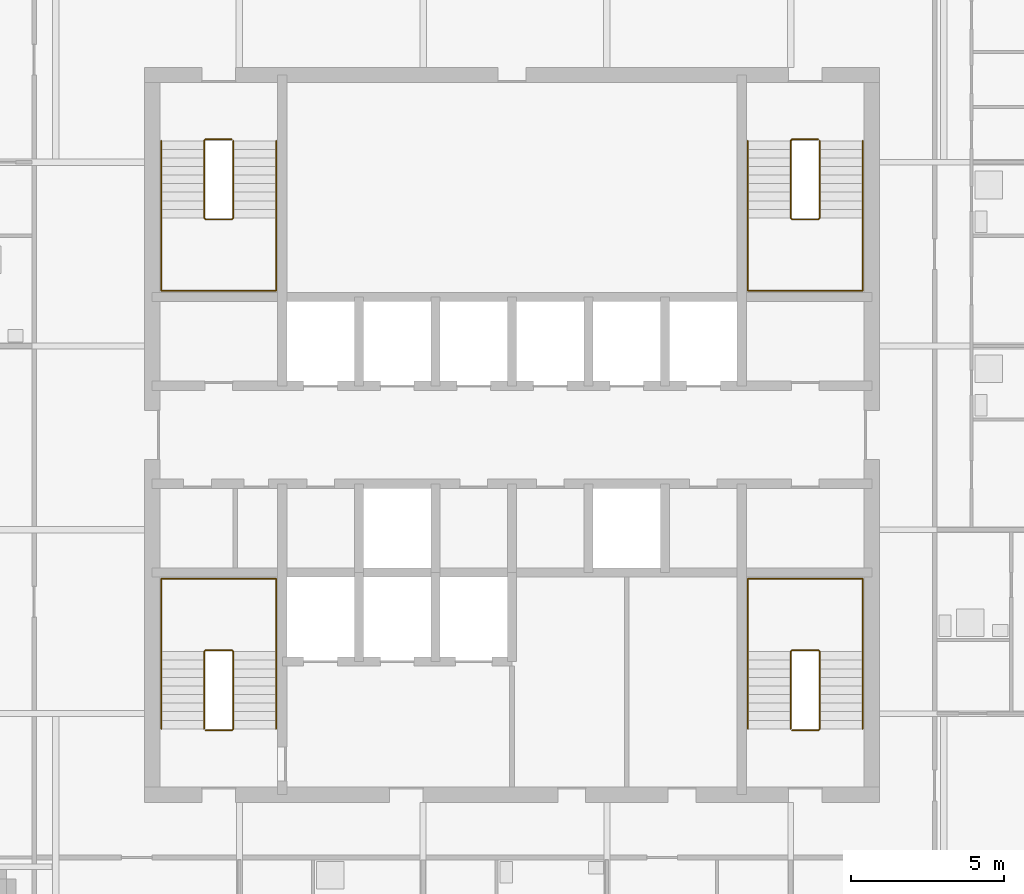
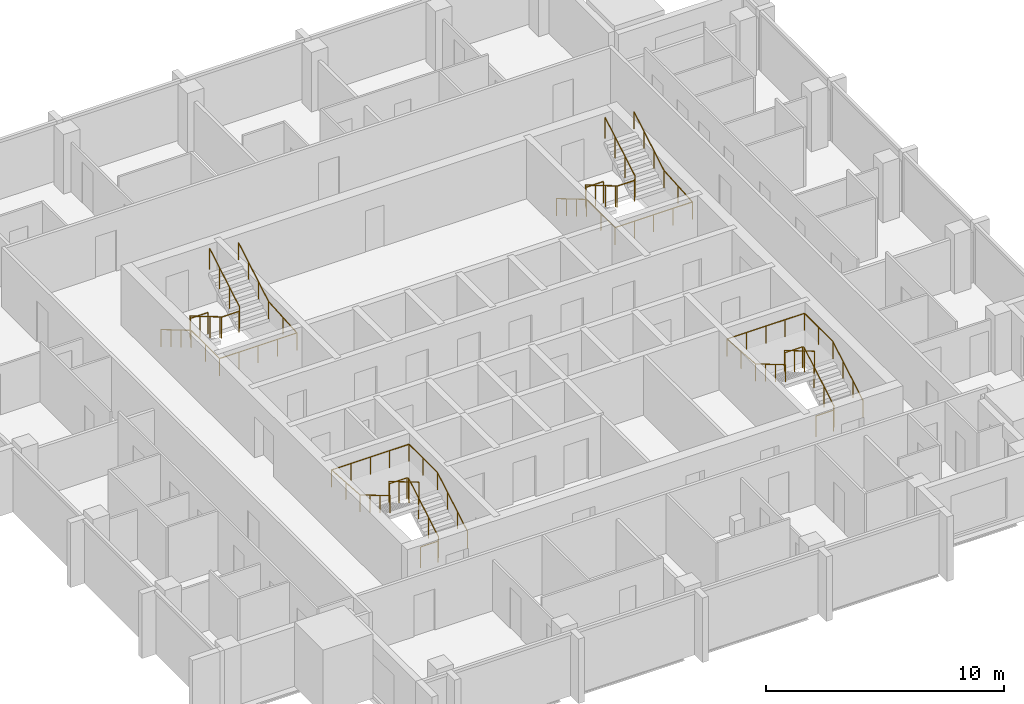
# One storey, part 8 of 9: 8 railings.
"""IFC4 building model written with IfcOpenShell, lengths in metres."""

from ifc_helpers import new_model, si_unit, direction, frame, origin, origin_2d, place, context, subcontext, project, spatial, circle, extrude, material, type_object, element, save


model = new_model("IFC4")

# Units and contexts
model_context = context("Model", 3, precision=1e-05, world=origin(), true_north=direction((0.0, 1.0)))
body_context = subcontext(model_context, "Body", "Model", "MODEL_VIEW")
ifc_project = project(units=[si_unit("LENGTHUNIT", "METRE"), si_unit("AREAUNIT", "SQUARE_METRE"), si_unit("VOLUMEUNIT", "CUBIC_METRE"), si_unit("PLANEANGLEUNIT", "RADIAN"), si_unit("MASSUNIT", "GRAM", prefix="KILO")], contexts=[model_context])

# Site, building, storey
site_placement = place(None, origin())
site = spatial("IfcSite", under=ifc_project, at=site_placement, CompositionType="ELEMENT")
building_placement = place(site_placement, origin())
building = spatial("IfcBuilding", under=site, at=building_placement, Name="Amberfall Residences", CompositionType="ELEMENT")
storey_placement = place(building_placement, frame((0.0, 0.0, 262.0)))
storey = spatial("IfcBuildingStorey", under=building, at=storey_placement, Name="L70", CompositionType="ELEMENT", Elevation=262.0)

# Railings
ifc_material = material(Name="Stainless steel 316", Category="steel")
railing_type_1 = type_object("IfcRailingType", Name="Stair guard 1100", PredefinedType="GUARDRAIL", material=ifc_material)
railing_1_placement = place(storey_placement, frame((64.5, 35.85009765625, 0.0)))
element("IfcRailing", 1, at=railing_1_placement, inside=storey, type_object=railing_type_1, Name="L70 stair 1 guard", PredefinedType="GUARDRAIL", context=body_context, shape_type="SweptSolid", body=[
    extrude(circle(Radius=0.02392578125, at=origin_2d()), frame((0.0, 0.0, 1.076171875), z_axis=(1.0, 0.0, 0.0), x_axis=(0.0, 1.0, 0.0)), (0.0, 0.0, 1.0), 0.85009765625),
    extrude(circle(Radius=0.02392578125, at=origin_2d()), frame((0.85009765625, 0.0, 1.076171875), z_axis=(0.27755538755, 0.27755538755, 0.919742362667), x_axis=(-0.707106781187, 0.707106781187, 0.0)), (0.0, 0.0, 1.0), 0.179443359375),
    extrude(circle(Radius=0.02392578125, at=origin_2d()), frame((0.89990234375, 0.0498046875, 1.2412109375), z_axis=(0.0, 0.861560626758, 0.507654692109), x_axis=(-1.0, 0.0, 0.0)), (0.0, 0.0, 1.0), 2.925048828125),
    extrude(circle(Radius=0.02392578125, at=origin_2d()), frame((0.89990234375, 2.56982421875, 2.72607421875), z_axis=(-0.705375805398, 0.708833529934, 0.0), x_axis=(-0.708833529934, -0.705375805398, 0.0)), (0.0, 0.0, 1.0), 0.070556640625),
    extrude(circle(Radius=0.02392578125, at=origin_2d()), frame((0.85009765625, 2.619873046875, 2.72607421875), z_axis=(-1.0, 0.0, 0.0), x_axis=(0.0, -1.0, 0.0)), (0.0, 0.0, 1.0), 0.85009765625),
    extrude(circle(Radius=0.02392578125, at=origin_2d()), frame((0.0, 2.619873046875, 2.72607421875), z_axis=(-0.278705021027, -0.278705021027, 0.919046801044), x_axis=(0.707106781187, -0.707106781187, 0.0)), (0.0, 0.0, 1.0), 0.1796875),
    extrude(circle(Radius=0.02392578125, at=origin_2d()), frame((-0.050048828125, 2.56982421875, 2.89111328125), z_axis=(0.0, -0.86152411907, 0.507716645641), x_axis=(1.0, 0.0, 0.0)), (0.0, 0.0, 1.0), 2.925048828125),
    extrude(circle(Radius=0.02099609375, at=origin_2d()), origin(), (0.0, 0.0, 1.0), 1.052001953125),
    extrude(circle(Radius=0.02099609375, at=origin_2d()), frame((0.85009765625, 0.0, 0.0)), (0.0, 0.0, 1.0), 1.052001953125),
    extrude(circle(Radius=0.02099609375, at=origin_2d()), frame((0.89990234375, 0.0498046875, 0.1650390625)), (0.0, 0.0, 1.0), 1.052001953125),
    extrude(circle(Radius=0.02099609375, at=origin_2d()), frame((0.89990234375, 0.889892578125, 0.659912109375)), (0.0, 0.0, 1.0), 1.052001953125),
    extrude(circle(Radius=0.02099609375, at=origin_2d()), frame((0.89990234375, 1.729736328125, 1.155029296875)), (0.0, 0.0, 1.0), 1.052001953125),
    extrude(circle(Radius=0.02099609375, at=origin_2d()), frame((0.89990234375, 2.56982421875, 1.64990234375)), (0.0, 0.0, 1.0), 1.052001953125),
    extrude(circle(Radius=0.02099609375, at=origin_2d()), frame((0.85009765625, 2.619873046875, 1.64990234375)), (0.0, 0.0, 1.0), 1.052001953125),
    extrude(circle(Radius=0.02099609375, at=origin_2d()), frame((0.0, 2.619873046875, 1.64990234375)), (0.0, 0.0, 1.0), 1.052001953125),
    extrude(circle(Radius=0.02099609375, at=origin_2d()), frame((-0.050048828125, 2.56982421875, 1.81494140625)), (0.0, 0.0, 1.0), 1.052001953125),
    extrude(circle(Radius=0.02099609375, at=origin_2d()), frame((-0.050048828125, 1.729736328125, 2.31005859375)), (0.0, 0.0, 1.0), 1.052001953125),
    extrude(circle(Radius=0.02099609375, at=origin_2d()), frame((-0.050048828125, 0.889892578125, 2.804931640625)), (0.0, 0.0, 1.0), 1.052001953125),
    extrude(circle(Radius=0.02099609375, at=origin_2d()), frame((-0.050048828125, 0.0498046875, 3.300048828125)), (0.0, 0.0, 1.0), 1.052001953125),
])
railing_2_placement = place(storey_placement, frame((83.64990234375, 35.85009765625, 0.0)))
element("IfcRailing", 2, at=railing_2_placement, inside=storey, type_object=railing_type_1, Name="L70 stair 2 guard", PredefinedType="GUARDRAIL", context=body_context, shape_type="SweptSolid", body=[
    extrude(circle(Radius=0.02392578125, at=origin_2d()), frame((0.0, 0.0, 1.076171875), z_axis=(1.0, 0.0, 0.0), x_axis=(0.0, 1.0, 0.0)), (0.0, 0.0, 1.0), 0.85009765625),
    extrude(circle(Radius=0.02392578125, at=origin_2d()), frame((0.85009765625, 0.0, 1.076171875), z_axis=(0.278810427259, 0.277450376394, 0.919394384522), x_axis=(-0.705375805398, 0.708833529934, 0.0)), (0.0, 0.0, 1.0), 0.179443359375),
    extrude(circle(Radius=0.02392578125, at=origin_2d()), frame((0.900146484375, 0.0498046875, 1.2412109375), z_axis=(0.0, 0.861560626758, 0.507654692109), x_axis=(-1.0, 0.0, 0.0)), (0.0, 0.0, 1.0), 2.925048828125),
    extrude(circle(Radius=0.02392578125, at=origin_2d()), frame((0.900146484375, 2.56982421875, 2.72607421875), z_axis=(-0.707106781187, 0.707106781187, 0.0), x_axis=(-0.707106781187, -0.707106781187, 0.0)), (0.0, 0.0, 1.0), 0.07080078125),
    extrude(circle(Radius=0.02392578125, at=origin_2d()), frame((0.85009765625, 2.619873046875, 2.72607421875), z_axis=(-1.0, 0.0, 0.0), x_axis=(0.0, -1.0, 0.0)), (0.0, 0.0, 1.0), 0.85009765625),
    extrude(circle(Radius=0.02392578125, at=origin_2d()), frame((0.0, 2.619873046875, 2.72607421875), z_axis=(-0.277450376394, -0.278810427259, 0.919394384522), x_axis=(0.708833529934, -0.705375805398, 0.0)), (0.0, 0.0, 1.0), 0.179443359375),
    extrude(circle(Radius=0.02392578125, at=origin_2d()), frame((-0.0498046875, 2.56982421875, 2.89111328125), z_axis=(0.0, -0.86152411907, 0.507716645641), x_axis=(1.0, 0.0, 0.0)), (0.0, 0.0, 1.0), 2.925048828125),
    extrude(circle(Radius=0.02099609375, at=origin_2d()), origin(), (0.0, 0.0, 1.0), 1.052001953125),
    extrude(circle(Radius=0.02099609375, at=origin_2d()), frame((0.85009765625, 0.0, 0.0)), (0.0, 0.0, 1.0), 1.052001953125),
    extrude(circle(Radius=0.02099609375, at=origin_2d()), frame((0.900146484375, 0.0498046875, 0.1650390625)), (0.0, 0.0, 1.0), 1.052001953125),
    extrude(circle(Radius=0.02099609375, at=origin_2d()), frame((0.900146484375, 0.889892578125, 0.659912109375)), (0.0, 0.0, 1.0), 1.052001953125),
    extrude(circle(Radius=0.02099609375, at=origin_2d()), frame((0.900146484375, 1.729736328125, 1.155029296875)), (0.0, 0.0, 1.0), 1.052001953125),
    extrude(circle(Radius=0.02099609375, at=origin_2d()), frame((0.900146484375, 2.56982421875, 1.64990234375)), (0.0, 0.0, 1.0), 1.052001953125),
    extrude(circle(Radius=0.02099609375, at=origin_2d()), frame((0.85009765625, 2.619873046875, 1.64990234375)), (0.0, 0.0, 1.0), 1.052001953125),
    extrude(circle(Radius=0.02099609375, at=origin_2d()), frame((0.0, 2.619873046875, 1.64990234375)), (0.0, 0.0, 1.0), 1.052001953125),
    extrude(circle(Radius=0.02099609375, at=origin_2d()), frame((-0.0498046875, 2.56982421875, 1.81494140625)), (0.0, 0.0, 1.0), 1.052001953125),
    extrude(circle(Radius=0.02099609375, at=origin_2d()), frame((-0.0498046875, 1.729736328125, 2.31005859375)), (0.0, 0.0, 1.0), 1.052001953125),
    extrude(circle(Radius=0.02099609375, at=origin_2d()), frame((-0.0498046875, 0.889892578125, 2.804931640625)), (0.0, 0.0, 1.0), 1.052001953125),
    extrude(circle(Radius=0.02099609375, at=origin_2d()), frame((-0.0498046875, 0.0498046875, 3.300048828125)), (0.0, 0.0, 1.0), 1.052001953125),
])
railing_3_placement = place(storey_placement, frame((84.5, 55.14990234375, 0.0)))
element("IfcRailing", 3, at=railing_3_placement, inside=storey, type_object=railing_type_1, Name="L70 stair 3 guard", PredefinedType="GUARDRAIL", context=body_context, shape_type="SweptSolid", body=[
    extrude(circle(Radius=0.02392578125, at=origin_2d()), frame((0.0, 0.0, 1.076171875), z_axis=(-1.0, 0.0, 0.0), x_axis=(0.0, -1.0, 0.0)), (0.0, 0.0, 1.0), 0.85009765625),
    extrude(circle(Radius=0.02392578125, at=origin_2d()), frame((-0.85009765625, 0.0, 1.076171875), z_axis=(-0.27755538755, -0.27755538755, 0.919742362667), x_axis=(0.707106781187, -0.707106781187, 0.0)), (0.0, 0.0, 1.0), 0.179443359375),
    extrude(circle(Radius=0.02392578125, at=origin_2d()), frame((-0.89990234375, -0.0498046875, 1.2412109375), z_axis=(0.0, -0.861560626758, 0.507654692109), x_axis=(1.0, 0.0, 0.0)), (0.0, 0.0, 1.0), 2.925048828125),
    extrude(circle(Radius=0.02392578125, at=origin_2d()), frame((-0.89990234375, -2.56982421875, 2.72607421875), z_axis=(0.705375805398, -0.708833529934, 0.0), x_axis=(0.708833529934, 0.705375805398, 0.0)), (0.0, 0.0, 1.0), 0.070556640625),
    extrude(circle(Radius=0.02392578125, at=origin_2d()), frame((-0.85009765625, -2.619873046875, 2.72607421875), z_axis=(1.0, 0.0, 0.0), x_axis=(0.0, 1.0, 0.0)), (0.0, 0.0, 1.0), 0.85009765625),
    extrude(circle(Radius=0.02392578125, at=origin_2d()), frame((0.0, -2.619873046875, 2.72607421875), z_axis=(0.278705021027, 0.278705021027, 0.919046801044), x_axis=(-0.707106781187, 0.707106781187, 0.0)), (0.0, 0.0, 1.0), 0.1796875),
    extrude(circle(Radius=0.02392578125, at=origin_2d()), frame((0.050048828125, -2.56982421875, 2.89111328125), z_axis=(0.0, 0.86152411907, 0.507716645641), x_axis=(-1.0, 0.0, 0.0)), (0.0, 0.0, 1.0), 2.925048828125),
    extrude(circle(Radius=0.02099609375, at=origin_2d()), origin(), (0.0, 0.0, 1.0), 1.052001953125),
    extrude(circle(Radius=0.02099609375, at=origin_2d()), frame((-0.85009765625, 0.0, 0.0)), (0.0, 0.0, 1.0), 1.052001953125),
    extrude(circle(Radius=0.02099609375, at=origin_2d()), frame((-0.89990234375, -0.0498046875, 0.1650390625)), (0.0, 0.0, 1.0), 1.052001953125),
    extrude(circle(Radius=0.02099609375, at=origin_2d()), frame((-0.89990234375, -0.889892578125, 0.659912109375)), (0.0, 0.0, 1.0), 1.052001953125),
    extrude(circle(Radius=0.02099609375, at=origin_2d()), frame((-0.89990234375, -1.729736328125, 1.155029296875)), (0.0, 0.0, 1.0), 1.052001953125),
    extrude(circle(Radius=0.02099609375, at=origin_2d()), frame((-0.89990234375, -2.56982421875, 1.64990234375)), (0.0, 0.0, 1.0), 1.052001953125),
    extrude(circle(Radius=0.02099609375, at=origin_2d()), frame((-0.85009765625, -2.619873046875, 1.64990234375)), (0.0, 0.0, 1.0), 1.052001953125),
    extrude(circle(Radius=0.02099609375, at=origin_2d()), frame((0.0, -2.619873046875, 1.64990234375)), (0.0, 0.0, 1.0), 1.052001953125),
    extrude(circle(Radius=0.02099609375, at=origin_2d()), frame((0.050048828125, -2.56982421875, 1.81494140625)), (0.0, 0.0, 1.0), 1.052001953125),
    extrude(circle(Radius=0.02099609375, at=origin_2d()), frame((0.050048828125, -1.729736328125, 2.31005859375)), (0.0, 0.0, 1.0), 1.052001953125),
    extrude(circle(Radius=0.02099609375, at=origin_2d()), frame((0.050048828125, -0.889892578125, 2.804931640625)), (0.0, 0.0, 1.0), 1.052001953125),
    extrude(circle(Radius=0.02099609375, at=origin_2d()), frame((0.050048828125, -0.0498046875, 3.300048828125)), (0.0, 0.0, 1.0), 1.052001953125),
])
railing_4_placement = place(storey_placement, frame((65.35009765625, 55.14990234375, 0.0)))
element("IfcRailing", 4, at=railing_4_placement, inside=storey, type_object=railing_type_1, Name="L70 stair 4 guard", PredefinedType="GUARDRAIL", context=body_context, shape_type="SweptSolid", body=[
    extrude(circle(Radius=0.02392578125, at=origin_2d()), frame((0.0, 0.0, 1.076171875), z_axis=(-1.0, 0.0, 0.0), x_axis=(0.0, -1.0, 0.0)), (0.0, 0.0, 1.0), 0.85009765625),
    extrude(circle(Radius=0.02392578125, at=origin_2d()), frame((-0.85009765625, 0.0, 1.076171875), z_axis=(-0.278810427259, -0.277450376394, 0.919394384522), x_axis=(0.705375805398, -0.708833529934, 0.0)), (0.0, 0.0, 1.0), 0.179443359375),
    extrude(circle(Radius=0.02392578125, at=origin_2d()), frame((-0.900146484375, -0.0498046875, 1.2412109375), z_axis=(0.0, -0.861560626758, 0.507654692109), x_axis=(1.0, 0.0, 0.0)), (0.0, 0.0, 1.0), 2.925048828125),
    extrude(circle(Radius=0.02392578125, at=origin_2d()), frame((-0.900146484375, -2.56982421875, 2.72607421875), z_axis=(0.707106781187, -0.707106781187, 0.0), x_axis=(0.707106781187, 0.707106781187, 0.0)), (0.0, 0.0, 1.0), 0.07080078125),
    extrude(circle(Radius=0.02392578125, at=origin_2d()), frame((-0.85009765625, -2.619873046875, 2.72607421875), z_axis=(1.0, 0.0, 0.0), x_axis=(0.0, 1.0, 0.0)), (0.0, 0.0, 1.0), 0.85009765625),
    extrude(circle(Radius=0.02392578125, at=origin_2d()), frame((0.0, -2.619873046875, 2.72607421875), z_axis=(0.277450376394, 0.278810427259, 0.919394384522), x_axis=(-0.708833529934, 0.705375805398, 0.0)), (0.0, 0.0, 1.0), 0.179443359375),
    extrude(circle(Radius=0.02392578125, at=origin_2d()), frame((0.0498046875, -2.56982421875, 2.89111328125), z_axis=(0.0, 0.86152411907, 0.507716645641), x_axis=(-1.0, 0.0, 0.0)), (0.0, 0.0, 1.0), 2.925048828125),
    extrude(circle(Radius=0.02099609375, at=origin_2d()), origin(), (0.0, 0.0, 1.0), 1.052001953125),
    extrude(circle(Radius=0.02099609375, at=origin_2d()), frame((-0.85009765625, 0.0, 0.0)), (0.0, 0.0, 1.0), 1.052001953125),
    extrude(circle(Radius=0.02099609375, at=origin_2d()), frame((-0.900146484375, -0.0498046875, 0.1650390625)), (0.0, 0.0, 1.0), 1.052001953125),
    extrude(circle(Radius=0.02099609375, at=origin_2d()), frame((-0.900146484375, -0.889892578125, 0.659912109375)), (0.0, 0.0, 1.0), 1.052001953125),
    extrude(circle(Radius=0.02099609375, at=origin_2d()), frame((-0.900146484375, -1.729736328125, 1.155029296875)), (0.0, 0.0, 1.0), 1.052001953125),
    extrude(circle(Radius=0.02099609375, at=origin_2d()), frame((-0.900146484375, -2.56982421875, 1.64990234375)), (0.0, 0.0, 1.0), 1.052001953125),
    extrude(circle(Radius=0.02099609375, at=origin_2d()), frame((-0.85009765625, -2.619873046875, 1.64990234375)), (0.0, 0.0, 1.0), 1.052001953125),
    extrude(circle(Radius=0.02099609375, at=origin_2d()), frame((0.0, -2.619873046875, 1.64990234375)), (0.0, 0.0, 1.0), 1.052001953125),
    extrude(circle(Radius=0.02099609375, at=origin_2d()), frame((0.0498046875, -2.56982421875, 1.81494140625)), (0.0, 0.0, 1.0), 1.052001953125),
    extrude(circle(Radius=0.02099609375, at=origin_2d()), frame((0.0498046875, -1.729736328125, 2.31005859375)), (0.0, 0.0, 1.0), 1.052001953125),
    extrude(circle(Radius=0.02099609375, at=origin_2d()), frame((0.0498046875, -0.889892578125, 2.804931640625)), (0.0, 0.0, 1.0), 1.052001953125),
    extrude(circle(Radius=0.02099609375, at=origin_2d()), frame((0.0498046875, -0.0498046875, 3.300048828125)), (0.0, 0.0, 1.0), 1.052001953125),
])
railing_type_2 = type_object("IfcRailingType", Name="Stair handrail 900", PredefinedType="HANDRAIL", material=ifc_material)
railing_5_placement = place(storey_placement, frame((66.800048828125, 35.89990234375, 0.1650390625)))
element("IfcRailing", 5, at=railing_5_placement, inside=storey, type_object=railing_type_2, Name="L70 stair 1 handrail", PredefinedType="HANDRAIL", context=body_context, shape_type="SweptSolid", body=[
    extrude(circle(Radius=0.02392578125, at=origin_2d()), frame((0.0, 0.0, 0.8759765625), z_axis=(0.0, 0.861560626758, 0.507654692109), x_axis=(-1.0, 0.0, 0.0)), (0.0, 0.0, 1.0), 2.925048828125),
    extrude(circle(Radius=0.02392578125, at=origin_2d()), frame((0.0, 2.52001953125, 2.36083984375), z_axis=(0.0, 1.0, 0.0), x_axis=(-1.0, 0.0, 0.0)), (0.0, 0.0, 1.0), 2.380126953125),
    extrude(circle(Radius=0.02392578125, at=origin_2d()), frame((0.0, 4.900146484375, 2.36083984375), z_axis=(-1.0, 0.0, 0.0), x_axis=(0.0, -1.0, 0.0)), (0.0, 0.0, 1.0), 3.75),
    extrude(circle(Radius=0.02392578125, at=origin_2d()), frame((-3.75, 4.900146484375, 2.36083984375), z_axis=(0.0, -0.997604585917, 0.069174346095), x_axis=(1.0, 0.0, 0.0)), (0.0, 0.0, 1.0), 2.3857421875),
    extrude(circle(Radius=0.02392578125, at=origin_2d()), frame((-3.75, 2.52001953125, 2.52587890625), z_axis=(0.0, -0.86152411907, 0.507716645641), x_axis=(1.0, 0.0, 0.0)), (0.0, 0.0, 1.0), 2.925048828125),
    extrude(circle(Radius=0.02099609375, at=origin_2d()), origin(), (0.0, 0.0, 1.0), 0.851806640625),
    extrude(circle(Radius=0.02099609375, at=origin_2d()), frame((0.0, 0.840087890625, 0.494873046875)), (0.0, 0.0, 1.0), 0.851806640625),
    extrude(circle(Radius=0.02099609375, at=origin_2d()), frame((0.0, 1.679931640625, 0.989990234375)), (0.0, 0.0, 1.0), 0.851806640625),
    extrude(circle(Radius=0.02099609375, at=origin_2d()), frame((0.0, 2.52001953125, 1.48486328125)), (0.0, 0.0, 1.0), 0.851806640625),
    extrude(circle(Radius=0.02099609375, at=origin_2d()), frame((0.0, 3.7099609375, 1.48486328125)), (0.0, 0.0, 1.0), 0.851806640625),
    extrude(circle(Radius=0.02099609375, at=origin_2d()), frame((0.0, 4.900146484375, 1.48486328125)), (0.0, 0.0, 1.0), 0.851806640625),
    extrude(circle(Radius=0.02099609375, at=origin_2d()), frame((-0.9375, 4.900146484375, 1.48486328125)), (0.0, 0.0, 1.0), 0.851806640625),
    extrude(circle(Radius=0.02099609375, at=origin_2d()), frame((-1.875, 4.900146484375, 1.48486328125)), (0.0, 0.0, 1.0), 0.851806640625),
    extrude(circle(Radius=0.02099609375, at=origin_2d()), frame((-2.8125, 4.900146484375, 1.48486328125)), (0.0, 0.0, 1.0), 0.851806640625),
    extrude(circle(Radius=0.02099609375, at=origin_2d()), frame((-3.75, 4.900146484375, 1.48486328125)), (0.0, 0.0, 1.0), 0.851806640625),
    extrude(circle(Radius=0.02099609375, at=origin_2d()), frame((-3.75, 3.7099609375, 1.5673828125)), (0.0, 0.0, 1.0), 0.851806640625),
    extrude(circle(Radius=0.02099609375, at=origin_2d()), frame((-3.75, 2.52001953125, 1.64990234375)), (0.0, 0.0, 1.0), 0.851806640625),
    extrude(circle(Radius=0.02099609375, at=origin_2d()), frame((-3.75, 1.679931640625, 2.14501953125)), (0.0, 0.0, 1.0), 0.851806640625),
    extrude(circle(Radius=0.02099609375, at=origin_2d()), frame((-3.75, 0.840087890625, 2.639892578125)), (0.0, 0.0, 1.0), 0.851806640625),
    extrude(circle(Radius=0.02099609375, at=origin_2d()), frame((-3.75, 0.0, 3.135009765625)), (0.0, 0.0, 1.0), 0.851806640625),
])
railing_6_placement = place(storey_placement, frame((85.949951171875, 35.89990234375, 0.1650390625)))
element("IfcRailing", 6, at=railing_6_placement, inside=storey, type_object=railing_type_2, Name="L70 stair 2 handrail", PredefinedType="HANDRAIL", context=body_context, shape_type="SweptSolid", body=[
    extrude(circle(Radius=0.02392578125, at=origin_2d()), frame((0.0, 0.0, 0.8759765625), z_axis=(0.0, 0.861560626758, 0.507654692109), x_axis=(-1.0, 0.0, 0.0)), (0.0, 0.0, 1.0), 2.925048828125),
    extrude(circle(Radius=0.02392578125, at=origin_2d()), frame((0.0, 2.52001953125, 2.36083984375), z_axis=(0.0, 1.0, 0.0), x_axis=(-1.0, 0.0, 0.0)), (0.0, 0.0, 1.0), 2.380126953125),
    extrude(circle(Radius=0.02392578125, at=origin_2d()), frame((0.0, 4.900146484375, 2.36083984375), z_axis=(-1.0, 0.0, 0.0), x_axis=(0.0, -1.0, 0.0)), (0.0, 0.0, 1.0), 3.75),
    extrude(circle(Radius=0.02392578125, at=origin_2d()), frame((-3.75, 4.900146484375, 2.36083984375), z_axis=(0.0, -0.997604585917, 0.069174346095), x_axis=(1.0, 0.0, 0.0)), (0.0, 0.0, 1.0), 2.3857421875),
    extrude(circle(Radius=0.02392578125, at=origin_2d()), frame((-3.75, 2.52001953125, 2.52587890625), z_axis=(0.0, -0.86152411907, 0.507716645641), x_axis=(1.0, 0.0, 0.0)), (0.0, 0.0, 1.0), 2.925048828125),
    extrude(circle(Radius=0.02099609375, at=origin_2d()), origin(), (0.0, 0.0, 1.0), 0.851806640625),
    extrude(circle(Radius=0.02099609375, at=origin_2d()), frame((0.0, 0.840087890625, 0.494873046875)), (0.0, 0.0, 1.0), 0.851806640625),
    extrude(circle(Radius=0.02099609375, at=origin_2d()), frame((0.0, 1.679931640625, 0.989990234375)), (0.0, 0.0, 1.0), 0.851806640625),
    extrude(circle(Radius=0.02099609375, at=origin_2d()), frame((0.0, 2.52001953125, 1.48486328125)), (0.0, 0.0, 1.0), 0.851806640625),
    extrude(circle(Radius=0.02099609375, at=origin_2d()), frame((0.0, 3.7099609375, 1.48486328125)), (0.0, 0.0, 1.0), 0.851806640625),
    extrude(circle(Radius=0.02099609375, at=origin_2d()), frame((0.0, 4.900146484375, 1.48486328125)), (0.0, 0.0, 1.0), 0.851806640625),
    extrude(circle(Radius=0.02099609375, at=origin_2d()), frame((-0.9375, 4.900146484375, 1.48486328125)), (0.0, 0.0, 1.0), 0.851806640625),
    extrude(circle(Radius=0.02099609375, at=origin_2d()), frame((-1.875, 4.900146484375, 1.48486328125)), (0.0, 0.0, 1.0), 0.851806640625),
    extrude(circle(Radius=0.02099609375, at=origin_2d()), frame((-2.8125, 4.900146484375, 1.48486328125)), (0.0, 0.0, 1.0), 0.851806640625),
    extrude(circle(Radius=0.02099609375, at=origin_2d()), frame((-3.75, 4.900146484375, 1.48486328125)), (0.0, 0.0, 1.0), 0.851806640625),
    extrude(circle(Radius=0.02099609375, at=origin_2d()), frame((-3.75, 3.7099609375, 1.5673828125)), (0.0, 0.0, 1.0), 0.851806640625),
    extrude(circle(Radius=0.02099609375, at=origin_2d()), frame((-3.75, 2.52001953125, 1.64990234375)), (0.0, 0.0, 1.0), 0.851806640625),
    extrude(circle(Radius=0.02099609375, at=origin_2d()), frame((-3.75, 1.679931640625, 2.14501953125)), (0.0, 0.0, 1.0), 0.851806640625),
    extrude(circle(Radius=0.02099609375, at=origin_2d()), frame((-3.75, 0.840087890625, 2.639892578125)), (0.0, 0.0, 1.0), 0.851806640625),
    extrude(circle(Radius=0.02099609375, at=origin_2d()), frame((-3.75, 0.0, 3.135009765625)), (0.0, 0.0, 1.0), 0.851806640625),
])
railing_7_placement = place(storey_placement, frame((82.199951171875, 55.10009765625, 0.1650390625)))
element("IfcRailing", 7, at=railing_7_placement, inside=storey, type_object=railing_type_2, Name="L70 stair 3 handrail", PredefinedType="HANDRAIL", context=body_context, shape_type="SweptSolid", body=[
    extrude(circle(Radius=0.02392578125, at=origin_2d()), frame((0.0, 0.0, 0.8759765625), z_axis=(0.0, -0.861560626758, 0.507654692109), x_axis=(1.0, 0.0, 0.0)), (0.0, 0.0, 1.0), 2.925048828125),
    extrude(circle(Radius=0.02392578125, at=origin_2d()), frame((0.0, -2.52001953125, 2.36083984375), z_axis=(0.0, -1.0, 0.0), x_axis=(1.0, 0.0, 0.0)), (0.0, 0.0, 1.0), 2.380126953125),
    extrude(circle(Radius=0.02392578125, at=origin_2d()), frame((0.0, -4.900146484375, 2.36083984375), z_axis=(1.0, 0.0, 0.0), x_axis=(0.0, 1.0, 0.0)), (0.0, 0.0, 1.0), 3.75),
    extrude(circle(Radius=0.02392578125, at=origin_2d()), frame((3.75, -4.900146484375, 2.36083984375), z_axis=(0.0, 0.997604585917, 0.069174346095), x_axis=(-1.0, 0.0, 0.0)), (0.0, 0.0, 1.0), 2.3857421875),
    extrude(circle(Radius=0.02392578125, at=origin_2d()), frame((3.75, -2.52001953125, 2.52587890625), z_axis=(0.0, 0.86152411907, 0.507716645641), x_axis=(-1.0, 0.0, 0.0)), (0.0, 0.0, 1.0), 2.925048828125),
    extrude(circle(Radius=0.02099609375, at=origin_2d()), origin(), (0.0, 0.0, 1.0), 0.851806640625),
    extrude(circle(Radius=0.02099609375, at=origin_2d()), frame((0.0, -0.840087890625, 0.494873046875)), (0.0, 0.0, 1.0), 0.851806640625),
    extrude(circle(Radius=0.02099609375, at=origin_2d()), frame((0.0, -1.679931640625, 0.989990234375)), (0.0, 0.0, 1.0), 0.851806640625),
    extrude(circle(Radius=0.02099609375, at=origin_2d()), frame((0.0, -2.52001953125, 1.48486328125)), (0.0, 0.0, 1.0), 0.851806640625),
    extrude(circle(Radius=0.02099609375, at=origin_2d()), frame((0.0, -3.7099609375, 1.48486328125)), (0.0, 0.0, 1.0), 0.851806640625),
    extrude(circle(Radius=0.02099609375, at=origin_2d()), frame((0.0, -4.900146484375, 1.48486328125)), (0.0, 0.0, 1.0), 0.851806640625),
    extrude(circle(Radius=0.02099609375, at=origin_2d()), frame((0.9375, -4.900146484375, 1.48486328125)), (0.0, 0.0, 1.0), 0.851806640625),
    extrude(circle(Radius=0.02099609375, at=origin_2d()), frame((1.875, -4.900146484375, 1.48486328125)), (0.0, 0.0, 1.0), 0.851806640625),
    extrude(circle(Radius=0.02099609375, at=origin_2d()), frame((2.8125, -4.900146484375, 1.48486328125)), (0.0, 0.0, 1.0), 0.851806640625),
    extrude(circle(Radius=0.02099609375, at=origin_2d()), frame((3.75, -4.900146484375, 1.48486328125)), (0.0, 0.0, 1.0), 0.851806640625),
    extrude(circle(Radius=0.02099609375, at=origin_2d()), frame((3.75, -3.7099609375, 1.5673828125)), (0.0, 0.0, 1.0), 0.851806640625),
    extrude(circle(Radius=0.02099609375, at=origin_2d()), frame((3.75, -2.52001953125, 1.64990234375)), (0.0, 0.0, 1.0), 0.851806640625),
    extrude(circle(Radius=0.02099609375, at=origin_2d()), frame((3.75, -1.679931640625, 2.14501953125)), (0.0, 0.0, 1.0), 0.851806640625),
    extrude(circle(Radius=0.02099609375, at=origin_2d()), frame((3.75, -0.840087890625, 2.639892578125)), (0.0, 0.0, 1.0), 0.851806640625),
    extrude(circle(Radius=0.02099609375, at=origin_2d()), frame((3.75, 0.0, 3.135009765625)), (0.0, 0.0, 1.0), 0.851806640625),
])
railing_8_placement = place(storey_placement, frame((63.050048828125, 55.10009765625, 0.1650390625)))
element("IfcRailing", 8, at=railing_8_placement, inside=storey, type_object=railing_type_2, Name="L70 stair 4 handrail", PredefinedType="HANDRAIL", context=body_context, shape_type="SweptSolid", body=[
    extrude(circle(Radius=0.02392578125, at=origin_2d()), frame((0.0, 0.0, 0.8759765625), z_axis=(0.0, -0.861560626758, 0.507654692109), x_axis=(1.0, 0.0, 0.0)), (0.0, 0.0, 1.0), 2.925048828125),
    extrude(circle(Radius=0.02392578125, at=origin_2d()), frame((0.0, -2.52001953125, 2.36083984375), z_axis=(0.0, -1.0, 0.0), x_axis=(1.0, 0.0, 0.0)), (0.0, 0.0, 1.0), 2.380126953125),
    extrude(circle(Radius=0.02392578125, at=origin_2d()), frame((0.0, -4.900146484375, 2.36083984375), z_axis=(1.0, 0.0, 0.0), x_axis=(0.0, 1.0, 0.0)), (0.0, 0.0, 1.0), 3.75),
    extrude(circle(Radius=0.02392578125, at=origin_2d()), frame((3.75, -4.900146484375, 2.36083984375), z_axis=(0.0, 0.997604585917, 0.069174346095), x_axis=(-1.0, 0.0, 0.0)), (0.0, 0.0, 1.0), 2.3857421875),
    extrude(circle(Radius=0.02392578125, at=origin_2d()), frame((3.75, -2.52001953125, 2.52587890625), z_axis=(0.0, 0.86152411907, 0.507716645641), x_axis=(-1.0, 0.0, 0.0)), (0.0, 0.0, 1.0), 2.925048828125),
    extrude(circle(Radius=0.02099609375, at=origin_2d()), origin(), (0.0, 0.0, 1.0), 0.851806640625),
    extrude(circle(Radius=0.02099609375, at=origin_2d()), frame((0.0, -0.840087890625, 0.494873046875)), (0.0, 0.0, 1.0), 0.851806640625),
    extrude(circle(Radius=0.02099609375, at=origin_2d()), frame((0.0, -1.679931640625, 0.989990234375)), (0.0, 0.0, 1.0), 0.851806640625),
    extrude(circle(Radius=0.02099609375, at=origin_2d()), frame((0.0, -2.52001953125, 1.48486328125)), (0.0, 0.0, 1.0), 0.851806640625),
    extrude(circle(Radius=0.02099609375, at=origin_2d()), frame((0.0, -3.7099609375, 1.48486328125)), (0.0, 0.0, 1.0), 0.851806640625),
    extrude(circle(Radius=0.02099609375, at=origin_2d()), frame((0.0, -4.900146484375, 1.48486328125)), (0.0, 0.0, 1.0), 0.851806640625),
    extrude(circle(Radius=0.02099609375, at=origin_2d()), frame((0.9375, -4.900146484375, 1.48486328125)), (0.0, 0.0, 1.0), 0.851806640625),
    extrude(circle(Radius=0.02099609375, at=origin_2d()), frame((1.875, -4.900146484375, 1.48486328125)), (0.0, 0.0, 1.0), 0.851806640625),
    extrude(circle(Radius=0.02099609375, at=origin_2d()), frame((2.8125, -4.900146484375, 1.48486328125)), (0.0, 0.0, 1.0), 0.851806640625),
    extrude(circle(Radius=0.02099609375, at=origin_2d()), frame((3.75, -4.900146484375, 1.48486328125)), (0.0, 0.0, 1.0), 0.851806640625),
    extrude(circle(Radius=0.02099609375, at=origin_2d()), frame((3.75, -3.7099609375, 1.5673828125)), (0.0, 0.0, 1.0), 0.851806640625),
    extrude(circle(Radius=0.02099609375, at=origin_2d()), frame((3.75, -2.52001953125, 1.64990234375)), (0.0, 0.0, 1.0), 0.851806640625),
    extrude(circle(Radius=0.02099609375, at=origin_2d()), frame((3.75, -1.679931640625, 2.14501953125)), (0.0, 0.0, 1.0), 0.851806640625),
    extrude(circle(Radius=0.02099609375, at=origin_2d()), frame((3.75, -0.840087890625, 2.639892578125)), (0.0, 0.0, 1.0), 0.851806640625),
    extrude(circle(Radius=0.02099609375, at=origin_2d()), frame((3.75, 0.0, 3.135009765625)), (0.0, 0.0, 1.0), 0.851806640625),
])

save(model, "model.ifc")
